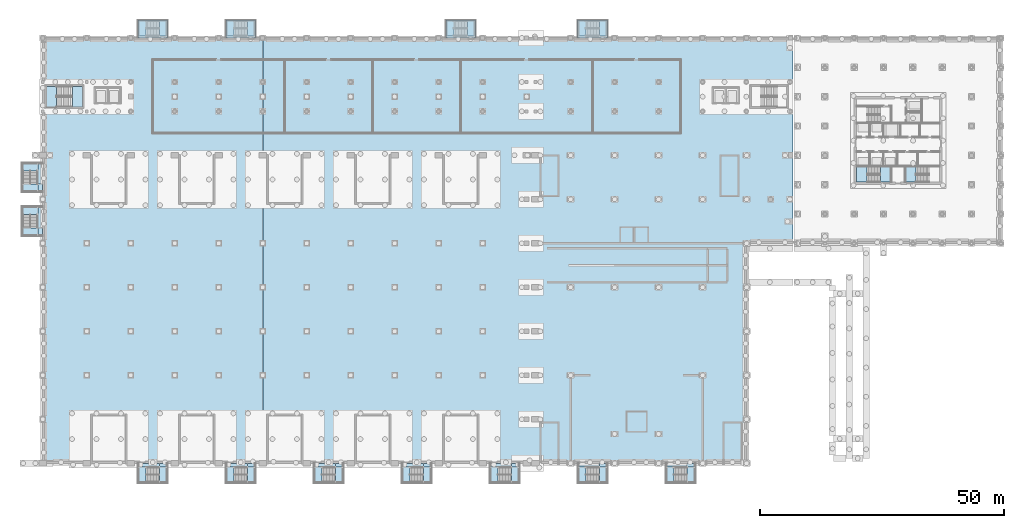
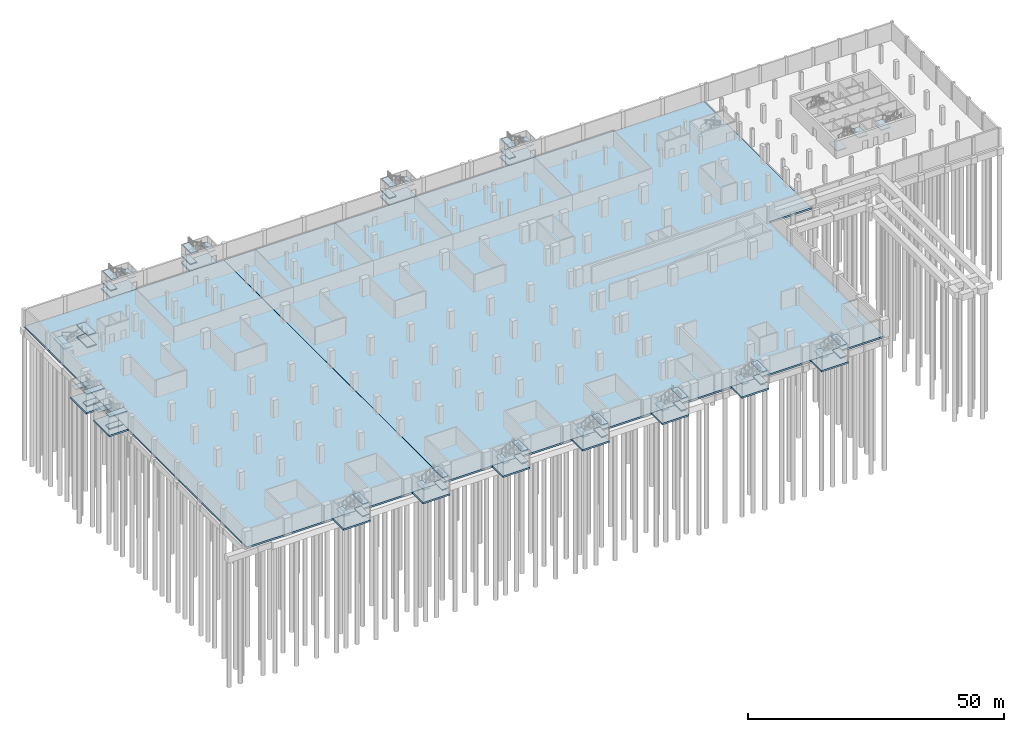
# One storey, part 8 of 29: 60 slabs, 16 elements without a shape of their own.
"""IFC4 building model written with IfcOpenShell, lengths in metres."""

from ifc_helpers import new_model, si_unit, direction, frame, origin, place, context, subcontext, project, spatial, polyline, outline, extrude, material, layer, layer_set, type_object, element, aggregate, save


model = new_model("IFC4")

# Units and contexts
model_context = context("Model", 3, precision=1e-05, world=origin(), true_north=direction((0.0, 1.0)))
body_context = subcontext(model_context, "Body", "Model", "MODEL_VIEW")
ifc_project = project(units=[si_unit("LENGTHUNIT", "METRE"), si_unit("AREAUNIT", "SQUARE_METRE"), si_unit("VOLUMEUNIT", "CUBIC_METRE"), si_unit("PLANEANGLEUNIT", "RADIAN"), si_unit("MASSUNIT", "GRAM", prefix="KILO")], contexts=[model_context])

# Site, building, storey
site_placement = place(None, origin())
site = spatial("IfcSite", under=ifc_project, at=site_placement, CompositionType="ELEMENT")
building_placement = place(site_placement, origin())
building = spatial("IfcBuilding", under=site, at=building_placement, Name="Aravalli Gate Trade Fair Centre", CompositionType="ELEMENT")
storey_placement = place(building_placement, frame((0.0, 0.0, -8.39990234375)))
storey = spatial("IfcBuildingStorey", under=building, at=storey_placement, Name="B2", CompositionType="ELEMENT", Elevation=-8.39990234375)

# Stair, slabs
ifc_material_1 = material(Name="Concrete M40", Category="concrete")
stair_type_1 = type_object("IfcStairType", Name="Basement exit stair 1500", PredefinedType="HALF_TURN_STAIR", material=ifc_material_1)
stair_1_placement = place(storey_placement, origin())
stair_1 = element("IfcStair", 1, at=stair_1_placement, inside=storey, type_object=stair_type_1, Name="Basement exit stair W1 B2 to B1", PredefinedType="HALF_TURN_STAIR")
ifc_material_2 = material(Name="Concrete M35", Category="concrete")
ifc_layer_1 = layer(ifc_material_2, 0.199951171875)
ifc_layer_set_1 = layer_set([ifc_layer_1], Name="Concrete M35")
slab_type_1 = type_object("IfcSlabType", Name="Basement stair landing 200", PredefinedType="LANDING", material=ifc_layer_set_1)
slab_1_placement = place(storey_placement, frame((0.0, 0.0, 1.199951171875)))
slab_1 = element("IfcSlab", 2, at=slab_1_placement, type_object=slab_type_1, Name="BS1 landing 1", PredefinedType="LANDING", context=body_context, shape_type="SweptSolid", body=[
    extrude(outline(polyline([(5.0, 94.14990234375), (5.0, 92.64990234375), (1.89990234375, 92.64990234375), (1.89990234375, 94.14990234375), (5.0, 94.14990234375)])), origin(), (0.0, 0.0, 1.0), 0.199951171875),
])
slab_2_placement = place(storey_placement, frame((0.0, 0.0, 2.599853515625)))
slab_2 = element("IfcSlab", 3, at=slab_2_placement, type_object=slab_type_1, Name="BS1 landing 2", PredefinedType="LANDING", context=body_context, shape_type="SweptSolid", body=[
    extrude(outline(polyline([(5.0, 98.35009765625), (5.0, 96.85009765625), (1.89990234375, 96.85009765625), (1.89990234375, 98.35009765625), (5.0, 98.35009765625)])), origin(), (0.0, 0.0, 1.0), 0.199951171875),
])
slab_3_placement = place(storey_placement, frame((0.0, 0.0, 4.0)))
slab_3 = element("IfcSlab", 4, at=slab_3_placement, type_object=slab_type_1, Name="BS1 landing 3", PredefinedType="LANDING", context=body_context, shape_type="SweptSolid", body=[
    extrude(outline(polyline([(6.0, 94.14990234375), (6.0, 92.64990234375), (1.89990234375, 92.64990234375), (1.89990234375, 94.14990234375), (6.0, 94.14990234375)])), origin(), (0.0, 0.0, 1.0), 0.199951171875),
])
aggregate(stair_1, [slab_1, slab_2, slab_3])

stair_2_placement = place(storey_placement, origin())
stair_2 = element("IfcStair", 5, at=stair_2_placement, inside=storey, type_object=stair_type_1, Name="Basement exit stair W2 B2 to B1", PredefinedType="HALF_TURN_STAIR")
slab_4_placement = place(storey_placement, frame((0.0, 0.0, 1.199951171875)))
slab_4 = element("IfcSlab", 6, at=slab_4_placement, type_object=slab_type_1, Name="BS1 landing 1", PredefinedType="LANDING", context=body_context, shape_type="SweptSolid", body=[
    extrude(outline(polyline([(5.0, 103.10009765625), (5.0, 101.60009765625), (1.89990234375, 101.60009765625), (1.89990234375, 103.10009765625), (5.0, 103.10009765625)])), origin(), (0.0, 0.0, 1.0), 0.199951171875),
])
slab_5_placement = place(storey_placement, frame((0.0, 0.0, 2.599853515625)))
slab_5 = element("IfcSlab", 7, at=slab_5_placement, type_object=slab_type_1, Name="BS1 landing 2", PredefinedType="LANDING", context=body_context, shape_type="SweptSolid", body=[
    extrude(outline(polyline([(5.0, 107.300048828125), (5.0, 105.800048828125), (1.89990234375, 105.800048828125), (1.89990234375, 107.300048828125), (5.0, 107.300048828125)])), origin(), (0.0, 0.0, 1.0), 0.199951171875),
])
slab_6_placement = place(storey_placement, frame((0.0, 0.0, 4.0)))
slab_6 = element("IfcSlab", 8, at=slab_6_placement, type_object=slab_type_1, Name="BS1 landing 3", PredefinedType="LANDING", context=body_context, shape_type="SweptSolid", body=[
    extrude(outline(polyline([(6.0, 103.10009765625), (6.0, 101.60009765625), (1.89990234375, 101.60009765625), (1.89990234375, 103.10009765625), (6.0, 103.10009765625)])), origin(), (0.0, 0.0, 1.0), 0.199951171875),
])
aggregate(stair_2, [slab_4, slab_5, slab_6])

stair_3_placement = place(storey_placement, origin())
stair_3 = element("IfcStair", 9, at=stair_3_placement, inside=storey, type_object=stair_type_1, Name="Basement exit stair N1 B2 to B1", PredefinedType="HALF_TURN_STAIR")
slab_7_placement = place(storey_placement, frame((0.0, 0.0, 1.199951171875)))
slab_7 = element("IfcSlab", 10, at=slab_7_placement, type_object=slab_type_1, Name="BS1 landing 1", PredefinedType="LANDING", context=body_context, shape_type="SweptSolid", body=[
    extrude(outline(polyline([(27.14990234375, 133.3798828125), (25.64990234375, 133.3798828125), (25.64990234375, 136.47998046875), (27.14990234375, 136.47998046875), (27.14990234375, 133.3798828125)])), origin(), (0.0, 0.0, 1.0), 0.199951171875),
])
slab_8_placement = place(storey_placement, frame((0.0, 0.0, 2.599853515625)))
slab_8 = element("IfcSlab", 11, at=slab_8_placement, type_object=slab_type_1, Name="BS1 landing 2", PredefinedType="LANDING", context=body_context, shape_type="SweptSolid", body=[
    extrude(outline(polyline([(31.35009765625, 133.3798828125), (29.85009765625, 133.3798828125), (29.85009765625, 136.47998046875), (31.35009765625, 136.47998046875), (31.35009765625, 133.3798828125)])), origin(), (0.0, 0.0, 1.0), 0.199951171875),
])
slab_9_placement = place(storey_placement, frame((0.0, 0.0, 4.0)))
slab_9 = element("IfcSlab", 12, at=slab_9_placement, type_object=slab_type_1, Name="BS1 landing 3", PredefinedType="LANDING", context=body_context, shape_type="SweptSolid", body=[
    extrude(outline(polyline([(27.14990234375, 133.0), (25.64990234375, 133.0), (25.64990234375, 136.47998046875), (27.14990234375, 136.47998046875), (27.14990234375, 133.0)])), origin(), (0.0, 0.0, 1.0), 0.199951171875),
])
aggregate(stair_3, [slab_7, slab_8, slab_9])

stair_4_placement = place(storey_placement, origin())
stair_4 = element("IfcStair", 13, at=stair_4_placement, inside=storey, type_object=stair_type_1, Name="Basement exit stair N2 B2 to B1", PredefinedType="HALF_TURN_STAIR")
slab_10_placement = place(storey_placement, frame((0.0, 0.0, 1.199951171875)))
slab_10 = element("IfcSlab", 14, at=slab_10_placement, type_object=slab_type_1, Name="BS1 landing 1", PredefinedType="LANDING", context=body_context, shape_type="SweptSolid", body=[
    extrude(outline(polyline([(45.14990234375, 133.3798828125), (43.64990234375, 133.3798828125), (43.64990234375, 136.47998046875), (45.14990234375, 136.47998046875), (45.14990234375, 133.3798828125)])), origin(), (0.0, 0.0, 1.0), 0.199951171875),
])
slab_11_placement = place(storey_placement, frame((0.0, 0.0, 2.599853515625)))
slab_11 = element("IfcSlab", 15, at=slab_11_placement, type_object=slab_type_1, Name="BS1 landing 2", PredefinedType="LANDING", context=body_context, shape_type="SweptSolid", body=[
    extrude(outline(polyline([(49.35009765625, 133.3798828125), (47.85009765625, 133.3798828125), (47.85009765625, 136.47998046875), (49.35009765625, 136.47998046875), (49.35009765625, 133.3798828125)])), origin(), (0.0, 0.0, 1.0), 0.199951171875),
])
slab_12_placement = place(storey_placement, frame((0.0, 0.0, 4.0)))
slab_12 = element("IfcSlab", 16, at=slab_12_placement, type_object=slab_type_1, Name="BS1 landing 3", PredefinedType="LANDING", context=body_context, shape_type="SweptSolid", body=[
    extrude(outline(polyline([(45.14990234375, 133.0), (43.64990234375, 133.0), (43.64990234375, 136.47998046875), (45.14990234375, 136.47998046875), (45.14990234375, 133.0)])), origin(), (0.0, 0.0, 1.0), 0.199951171875),
])
aggregate(stair_4, [slab_10, slab_11, slab_12])

stair_5_placement = place(storey_placement, origin())
stair_5 = element("IfcStair", 17, at=stair_5_placement, inside=storey, type_object=stair_type_1, Name="Basement exit stair N3 B2 to B1", PredefinedType="HALF_TURN_STAIR")
slab_13_placement = place(storey_placement, frame((0.0, 0.0, 1.199951171875)))
slab_13 = element("IfcSlab", 18, at=slab_13_placement, type_object=slab_type_1, Name="BS1 landing 1", PredefinedType="LANDING", context=body_context, shape_type="SweptSolid", body=[
    extrude(outline(polyline([(90.14990234375, 133.3798828125), (88.64990234375, 133.3798828125), (88.64990234375, 136.47998046875), (90.14990234375, 136.47998046875), (90.14990234375, 133.3798828125)])), origin(), (0.0, 0.0, 1.0), 0.199951171875),
])
slab_14_placement = place(storey_placement, frame((0.0, 0.0, 2.599853515625)))
slab_14 = element("IfcSlab", 19, at=slab_14_placement, type_object=slab_type_1, Name="BS1 landing 2", PredefinedType="LANDING", context=body_context, shape_type="SweptSolid", body=[
    extrude(outline(polyline([(94.35009765625, 133.3798828125), (92.85009765625, 133.3798828125), (92.85009765625, 136.47998046875), (94.35009765625, 136.47998046875), (94.35009765625, 133.3798828125)])), origin(), (0.0, 0.0, 1.0), 0.199951171875),
])
slab_15_placement = place(storey_placement, frame((0.0, 0.0, 4.0)))
slab_15 = element("IfcSlab", 20, at=slab_15_placement, type_object=slab_type_1, Name="BS1 landing 3", PredefinedType="LANDING", context=body_context, shape_type="SweptSolid", body=[
    extrude(outline(polyline([(90.14990234375, 133.0), (88.64990234375, 133.0), (88.64990234375, 136.47998046875), (90.14990234375, 136.47998046875), (90.14990234375, 133.0)])), origin(), (0.0, 0.0, 1.0), 0.199951171875),
])
aggregate(stair_5, [slab_13, slab_14, slab_15])

stair_6_placement = place(storey_placement, origin())
stair_6 = element("IfcStair", 21, at=stair_6_placement, inside=storey, type_object=stair_type_1, Name="Basement exit stair N4 B2 to B1", PredefinedType="HALF_TURN_STAIR")
slab_16_placement = place(storey_placement, frame((0.0, 0.0, 1.199951171875)))
slab_16 = element("IfcSlab", 22, at=slab_16_placement, type_object=slab_type_1, Name="BS1 landing 1", PredefinedType="LANDING", context=body_context, shape_type="SweptSolid", body=[
    extrude(outline(polyline([(117.14990234375, 133.3798828125), (115.64990234375, 133.3798828125), (115.64990234375, 136.47998046875), (117.14990234375, 136.47998046875), (117.14990234375, 133.3798828125)])), origin(), (0.0, 0.0, 1.0), 0.199951171875),
])
slab_17_placement = place(storey_placement, frame((0.0, 0.0, 2.599853515625)))
slab_17 = element("IfcSlab", 23, at=slab_17_placement, type_object=slab_type_1, Name="BS1 landing 2", PredefinedType="LANDING", context=body_context, shape_type="SweptSolid", body=[
    extrude(outline(polyline([(121.35009765625, 133.3798828125), (119.85009765625, 133.3798828125), (119.85009765625, 136.47998046875), (121.35009765625, 136.47998046875), (121.35009765625, 133.3798828125)])), origin(), (0.0, 0.0, 1.0), 0.199951171875),
])
slab_18_placement = place(storey_placement, frame((0.0, 0.0, 4.0)))
slab_18 = element("IfcSlab", 24, at=slab_18_placement, type_object=slab_type_1, Name="BS1 landing 3", PredefinedType="LANDING", context=body_context, shape_type="SweptSolid", body=[
    extrude(outline(polyline([(117.14990234375, 133.0), (115.64990234375, 133.0), (115.64990234375, 136.47998046875), (117.14990234375, 136.47998046875), (117.14990234375, 133.0)])), origin(), (0.0, 0.0, 1.0), 0.199951171875),
])
aggregate(stair_6, [slab_16, slab_17, slab_18])

stair_7_placement = place(storey_placement, origin())
stair_7 = element("IfcStair", 25, at=stair_7_placement, inside=storey, type_object=stair_type_1, Name="Basement exit stair S1 B2 to B1", PredefinedType="HALF_TURN_STAIR")
slab_19_placement = place(storey_placement, frame((0.0, 0.0, 1.199951171875)))
slab_19 = element("IfcSlab", 26, at=slab_19_placement, type_object=slab_type_1, Name="BS1 landing 1", PredefinedType="LANDING", context=body_context, shape_type="SweptSolid", body=[
    extrude(outline(polyline([(29.85009765625, 45.199951171875), (31.35009765625, 45.199951171875), (31.35009765625, 42.10009765625), (29.85009765625, 42.10009765625), (29.85009765625, 45.199951171875)])), origin(), (0.0, 0.0, 1.0), 0.199951171875),
])
slab_20_placement = place(storey_placement, frame((0.0, 0.0, 2.599853515625)))
slab_20 = element("IfcSlab", 27, at=slab_20_placement, type_object=slab_type_1, Name="BS1 landing 2", PredefinedType="LANDING", context=body_context, shape_type="SweptSolid", body=[
    extrude(outline(polyline([(25.64990234375, 45.199951171875), (27.14990234375, 45.199951171875), (27.14990234375, 42.10009765625), (25.64990234375, 42.10009765625), (25.64990234375, 45.199951171875)])), origin(), (0.0, 0.0, 1.0), 0.199951171875),
])
slab_21_placement = place(storey_placement, frame((0.0, 0.0, 4.0)))
slab_21 = element("IfcSlab", 28, at=slab_21_placement, type_object=slab_type_1, Name="BS1 landing 3", PredefinedType="LANDING", context=body_context, shape_type="SweptSolid", body=[
    extrude(outline(polyline([(29.85009765625, 46.0), (31.35009765625, 46.0), (31.35009765625, 42.10009765625), (29.85009765625, 42.10009765625), (29.85009765625, 46.0)])), origin(), (0.0, 0.0, 1.0), 0.199951171875),
])
aggregate(stair_7, [slab_19, slab_20, slab_21])

stair_8_placement = place(storey_placement, origin())
stair_8 = element("IfcStair", 29, at=stair_8_placement, inside=storey, type_object=stair_type_1, Name="Basement exit stair S2 B2 to B1", PredefinedType="HALF_TURN_STAIR")
slab_22_placement = place(storey_placement, frame((0.0, 0.0, 1.199951171875)))
slab_22 = element("IfcSlab", 30, at=slab_22_placement, type_object=slab_type_1, Name="BS1 landing 1", PredefinedType="LANDING", context=body_context, shape_type="SweptSolid", body=[
    extrude(outline(polyline([(47.85009765625, 45.199951171875), (49.35009765625, 45.199951171875), (49.35009765625, 42.10009765625), (47.85009765625, 42.10009765625), (47.85009765625, 45.199951171875)])), origin(), (0.0, 0.0, 1.0), 0.199951171875),
])
slab_23_placement = place(storey_placement, frame((0.0, 0.0, 2.599853515625)))
slab_23 = element("IfcSlab", 31, at=slab_23_placement, type_object=slab_type_1, Name="BS1 landing 2", PredefinedType="LANDING", context=body_context, shape_type="SweptSolid", body=[
    extrude(outline(polyline([(43.64990234375, 45.199951171875), (45.14990234375, 45.199951171875), (45.14990234375, 42.10009765625), (43.64990234375, 42.10009765625), (43.64990234375, 45.199951171875)])), origin(), (0.0, 0.0, 1.0), 0.199951171875),
])
slab_24_placement = place(storey_placement, frame((0.0, 0.0, 4.0)))
slab_24 = element("IfcSlab", 32, at=slab_24_placement, type_object=slab_type_1, Name="BS1 landing 3", PredefinedType="LANDING", context=body_context, shape_type="SweptSolid", body=[
    extrude(outline(polyline([(47.85009765625, 46.0), (49.35009765625, 46.0), (49.35009765625, 42.10009765625), (47.85009765625, 42.10009765625), (47.85009765625, 46.0)])), origin(), (0.0, 0.0, 1.0), 0.199951171875),
])
aggregate(stair_8, [slab_22, slab_23, slab_24])

stair_9_placement = place(storey_placement, origin())
stair_9 = element("IfcStair", 33, at=stair_9_placement, inside=storey, type_object=stair_type_1, Name="Basement exit stair S3 B2 to B1", PredefinedType="HALF_TURN_STAIR")
slab_25_placement = place(storey_placement, frame((0.0, 0.0, 1.199951171875)))
slab_25 = element("IfcSlab", 34, at=slab_25_placement, type_object=slab_type_1, Name="BS1 landing 1", PredefinedType="LANDING", context=body_context, shape_type="SweptSolid", body=[
    extrude(outline(polyline([(65.85009765625, 45.199951171875), (67.35009765625, 45.199951171875), (67.35009765625, 42.10009765625), (65.85009765625, 42.10009765625), (65.85009765625, 45.199951171875)])), origin(), (0.0, 0.0, 1.0), 0.199951171875),
])
slab_26_placement = place(storey_placement, frame((0.0, 0.0, 2.599853515625)))
slab_26 = element("IfcSlab", 35, at=slab_26_placement, type_object=slab_type_1, Name="BS1 landing 2", PredefinedType="LANDING", context=body_context, shape_type="SweptSolid", body=[
    extrude(outline(polyline([(61.64990234375, 45.199951171875), (63.14990234375, 45.199951171875), (63.14990234375, 42.10009765625), (61.64990234375, 42.10009765625), (61.64990234375, 45.199951171875)])), origin(), (0.0, 0.0, 1.0), 0.199951171875),
])
slab_27_placement = place(storey_placement, frame((0.0, 0.0, 4.0)))
slab_27 = element("IfcSlab", 36, at=slab_27_placement, type_object=slab_type_1, Name="BS1 landing 3", PredefinedType="LANDING", context=body_context, shape_type="SweptSolid", body=[
    extrude(outline(polyline([(65.85009765625, 46.0), (67.35009765625, 46.0), (67.35009765625, 42.10009765625), (65.85009765625, 42.10009765625), (65.85009765625, 46.0)])), origin(), (0.0, 0.0, 1.0), 0.199951171875),
])
aggregate(stair_9, [slab_25, slab_26, slab_27])

stair_10_placement = place(storey_placement, origin())
stair_10 = element("IfcStair", 37, at=stair_10_placement, inside=storey, type_object=stair_type_1, Name="Basement exit stair S4 B2 to B1", PredefinedType="HALF_TURN_STAIR")
slab_28_placement = place(storey_placement, frame((0.0, 0.0, 1.199951171875)))
slab_28 = element("IfcSlab", 38, at=slab_28_placement, type_object=slab_type_1, Name="BS1 landing 1", PredefinedType="LANDING", context=body_context, shape_type="SweptSolid", body=[
    extrude(outline(polyline([(83.85009765625, 45.199951171875), (85.35009765625, 45.199951171875), (85.35009765625, 42.10009765625), (83.85009765625, 42.10009765625), (83.85009765625, 45.199951171875)])), origin(), (0.0, 0.0, 1.0), 0.199951171875),
])
slab_29_placement = place(storey_placement, frame((0.0, 0.0, 2.599853515625)))
slab_29 = element("IfcSlab", 39, at=slab_29_placement, type_object=slab_type_1, Name="BS1 landing 2", PredefinedType="LANDING", context=body_context, shape_type="SweptSolid", body=[
    extrude(outline(polyline([(79.64990234375, 45.199951171875), (81.14990234375, 45.199951171875), (81.14990234375, 42.10009765625), (79.64990234375, 42.10009765625), (79.64990234375, 45.199951171875)])), origin(), (0.0, 0.0, 1.0), 0.199951171875),
])
slab_30_placement = place(storey_placement, frame((0.0, 0.0, 4.0)))
slab_30 = element("IfcSlab", 40, at=slab_30_placement, type_object=slab_type_1, Name="BS1 landing 3", PredefinedType="LANDING", context=body_context, shape_type="SweptSolid", body=[
    extrude(outline(polyline([(83.85009765625, 46.0), (85.35009765625, 46.0), (85.35009765625, 42.10009765625), (83.85009765625, 42.10009765625), (83.85009765625, 46.0)])), origin(), (0.0, 0.0, 1.0), 0.199951171875),
])
aggregate(stair_10, [slab_28, slab_29, slab_30])

stair_11_placement = place(storey_placement, origin())
stair_11 = element("IfcStair", 41, at=stair_11_placement, inside=storey, type_object=stair_type_1, Name="Basement exit stair S5 B2 to B1", PredefinedType="HALF_TURN_STAIR")
slab_31_placement = place(storey_placement, frame((0.0, 0.0, 1.199951171875)))
slab_31 = element("IfcSlab", 42, at=slab_31_placement, type_object=slab_type_1, Name="BS1 landing 1", PredefinedType="LANDING", context=body_context, shape_type="SweptSolid", body=[
    extrude(outline(polyline([(101.85009765625, 45.199951171875), (103.35009765625, 45.199951171875), (103.35009765625, 42.10009765625), (101.85009765625, 42.10009765625), (101.85009765625, 45.199951171875)])), origin(), (0.0, 0.0, 1.0), 0.199951171875),
])
slab_32_placement = place(storey_placement, frame((0.0, 0.0, 2.599853515625)))
slab_32 = element("IfcSlab", 43, at=slab_32_placement, type_object=slab_type_1, Name="BS1 landing 2", PredefinedType="LANDING", context=body_context, shape_type="SweptSolid", body=[
    extrude(outline(polyline([(97.64990234375, 45.199951171875), (99.14990234375, 45.199951171875), (99.14990234375, 42.10009765625), (97.64990234375, 42.10009765625), (97.64990234375, 45.199951171875)])), origin(), (0.0, 0.0, 1.0), 0.199951171875),
])
slab_33_placement = place(storey_placement, frame((0.0, 0.0, 4.0)))
slab_33 = element("IfcSlab", 44, at=slab_33_placement, type_object=slab_type_1, Name="BS1 landing 3", PredefinedType="LANDING", context=body_context, shape_type="SweptSolid", body=[
    extrude(outline(polyline([(101.85009765625, 46.0), (103.35009765625, 46.0), (103.35009765625, 42.10009765625), (101.85009765625, 42.10009765625), (101.85009765625, 46.0)])), origin(), (0.0, 0.0, 1.0), 0.199951171875),
])
aggregate(stair_11, [slab_31, slab_32, slab_33])

stair_12_placement = place(storey_placement, origin())
stair_12 = element("IfcStair", 45, at=stair_12_placement, inside=storey, type_object=stair_type_1, Name="Basement exit stair S6 B2 to B1", PredefinedType="HALF_TURN_STAIR")
slab_34_placement = place(storey_placement, frame((0.0, 0.0, 1.199951171875)))
slab_34 = element("IfcSlab", 46, at=slab_34_placement, type_object=slab_type_1, Name="BS1 landing 1", PredefinedType="LANDING", context=body_context, shape_type="SweptSolid", body=[
    extrude(outline(polyline([(119.85009765625, 45.199951171875), (121.35009765625, 45.199951171875), (121.35009765625, 42.10009765625), (119.85009765625, 42.10009765625), (119.85009765625, 45.199951171875)])), origin(), (0.0, 0.0, 1.0), 0.199951171875),
])
slab_35_placement = place(storey_placement, frame((0.0, 0.0, 2.599853515625)))
slab_35 = element("IfcSlab", 47, at=slab_35_placement, type_object=slab_type_1, Name="BS1 landing 2", PredefinedType="LANDING", context=body_context, shape_type="SweptSolid", body=[
    extrude(outline(polyline([(115.64990234375, 45.199951171875), (117.14990234375, 45.199951171875), (117.14990234375, 42.10009765625), (115.64990234375, 42.10009765625), (115.64990234375, 45.199951171875)])), origin(), (0.0, 0.0, 1.0), 0.199951171875),
])
slab_36_placement = place(storey_placement, frame((0.0, 0.0, 4.0)))
slab_36 = element("IfcSlab", 48, at=slab_36_placement, type_object=slab_type_1, Name="BS1 landing 3", PredefinedType="LANDING", context=body_context, shape_type="SweptSolid", body=[
    extrude(outline(polyline([(119.85009765625, 46.0), (121.35009765625, 46.0), (121.35009765625, 42.10009765625), (119.85009765625, 42.10009765625), (119.85009765625, 46.0)])), origin(), (0.0, 0.0, 1.0), 0.199951171875),
])
aggregate(stair_12, [slab_34, slab_35, slab_36])

stair_13_placement = place(storey_placement, origin())
stair_13 = element("IfcStair", 49, at=stair_13_placement, inside=storey, type_object=stair_type_1, Name="Basement exit stair S7 B2 to B1", PredefinedType="HALF_TURN_STAIR")
slab_37_placement = place(storey_placement, frame((0.0, 0.0, 1.199951171875)))
slab_37 = element("IfcSlab", 50, at=slab_37_placement, type_object=slab_type_1, Name="BS1 landing 1", PredefinedType="LANDING", context=body_context, shape_type="SweptSolid", body=[
    extrude(outline(polyline([(137.85009765625, 45.199951171875), (139.35009765625, 45.199951171875), (139.35009765625, 42.10009765625), (137.85009765625, 42.10009765625), (137.85009765625, 45.199951171875)])), origin(), (0.0, 0.0, 1.0), 0.199951171875),
])
slab_38_placement = place(storey_placement, frame((0.0, 0.0, 2.599853515625)))
slab_38 = element("IfcSlab", 51, at=slab_38_placement, type_object=slab_type_1, Name="BS1 landing 2", PredefinedType="LANDING", context=body_context, shape_type="SweptSolid", body=[
    extrude(outline(polyline([(133.64990234375, 45.199951171875), (135.14990234375, 45.199951171875), (135.14990234375, 42.10009765625), (133.64990234375, 42.10009765625), (133.64990234375, 45.199951171875)])), origin(), (0.0, 0.0, 1.0), 0.199951171875),
])
slab_39_placement = place(storey_placement, frame((0.0, 0.0, 4.0)))
slab_39 = element("IfcSlab", 52, at=slab_39_placement, type_object=slab_type_1, Name="BS1 landing 3", PredefinedType="LANDING", context=body_context, shape_type="SweptSolid", body=[
    extrude(outline(polyline([(137.85009765625, 46.0), (139.35009765625, 46.0), (139.35009765625, 42.10009765625), (137.85009765625, 42.10009765625), (137.85009765625, 46.0)])), origin(), (0.0, 0.0, 1.0), 0.199951171875),
])
aggregate(stair_13, [slab_37, slab_38, slab_39])

# Slabs
ifc_layer_2 = layer(ifc_material_1, 0.39990234375)
ifc_layer_set_2 = layer_set([ifc_layer_2], Name="Concrete M40")
slab_type_2 = type_object("IfcSlabType", Name="Basement tie slab 400", PredefinedType="BASESLAB", material=ifc_layer_set_2)
slab_40_placement = place(storey_placement, frame((0.0, 0.0, -0.400146484375)))
element("IfcSlab", 53, at=slab_40_placement, inside=storey, type_object=slab_type_2, Name="Basement tie slab B2 west of the seismic joint, part 1 of 2", PredefinedType="BASESLAB", context=body_context, shape_type="SweptSolid", body=[
    extrude(outline(polyline([(6.0, 46.0), (51.0, 46.0), (51.0, 133.0), (6.0, 133.0), (6.0, 46.0)])), origin(), (0.0, 0.0, 1.0), 0.400146484375),
])
slab_41_placement = place(storey_placement, frame((0.0, 0.0, -0.400146484375)))
element("IfcSlab", 54, at=slab_41_placement, inside=storey, type_object=slab_type_2, Name="Basement tie slab B2 west of the seismic joint, part 2 of 2", PredefinedType="BASESLAB", context=body_context, shape_type="SweptSolid", body=[
    extrude(outline(polyline([(150.0, 46.0), (150.0, 91.0), (159.5, 91.0), (159.5, 133.0), (51.0400390625, 133.0), (51.0400390625, 46.0), (150.0, 46.0)])), origin(), (0.0, 0.0, 1.0), 0.400146484375),
])
slab_42_placement = place(storey_placement, frame((0.0, 0.0, -0.400146484375)))
element("IfcSlab", 55, at=slab_42_placement, inside=storey, type_object=slab_type_2, Name="Basement stair W1 floor B2", PredefinedType="BASESLAB", context=body_context, shape_type="SweptSolid", body=[
    extrude(outline(polyline([(6.0, 98.550048828125), (6.0, 92.449951171875), (1.699951171875, 92.449951171875), (1.699951171875, 98.550048828125), (6.0, 98.550048828125)])), origin(), (0.0, 0.0, 1.0), 0.400146484375),
])
slab_43_placement = place(storey_placement, frame((0.0, 0.0, -0.400146484375)))
element("IfcSlab", 56, at=slab_43_placement, inside=storey, type_object=slab_type_2, Name="Basement stair W2 floor B2", PredefinedType="BASESLAB", context=body_context, shape_type="SweptSolid", body=[
    extrude(outline(polyline([(6.0, 107.5), (6.0, 101.39990234375), (1.699951171875, 101.39990234375), (1.699951171875, 107.5), (6.0, 107.5)])), origin(), (0.0, 0.0, 1.0), 0.400146484375),
])
slab_44_placement = place(storey_placement, frame((0.0, 0.0, -0.400146484375)))
element("IfcSlab", 57, at=slab_44_placement, inside=storey, type_object=slab_type_2, Name="Basement stair N1 floor B2", PredefinedType="BASESLAB", context=body_context, shape_type="SweptSolid", body=[
    extrude(outline(polyline([(31.550048828125, 133.0), (25.449951171875, 133.0), (25.449951171875, 136.679931640625), (31.550048828125, 136.679931640625), (31.550048828125, 133.0)])), origin(), (0.0, 0.0, 1.0), 0.400146484375),
])
slab_45_placement = place(storey_placement, frame((0.0, 0.0, -0.400146484375)))
element("IfcSlab", 58, at=slab_45_placement, inside=storey, type_object=slab_type_2, Name="Basement stair N2 floor B2", PredefinedType="BASESLAB", context=body_context, shape_type="SweptSolid", body=[
    extrude(outline(polyline([(49.550048828125, 133.0), (43.449951171875, 133.0), (43.449951171875, 136.679931640625), (49.550048828125, 136.679931640625), (49.550048828125, 133.0)])), origin(), (0.0, 0.0, 1.0), 0.400146484375),
])
slab_46_placement = place(storey_placement, frame((0.0, 0.0, -0.400146484375)))
element("IfcSlab", 59, at=slab_46_placement, inside=storey, type_object=slab_type_2, Name="Basement stair N3 floor B2", PredefinedType="BASESLAB", context=body_context, shape_type="SweptSolid", body=[
    extrude(outline(polyline([(94.550048828125, 133.0), (88.449951171875, 133.0), (88.449951171875, 136.679931640625), (94.550048828125, 136.679931640625), (94.550048828125, 133.0)])), origin(), (0.0, 0.0, 1.0), 0.400146484375),
])
slab_47_placement = place(storey_placement, frame((0.0, 0.0, -0.400146484375)))
element("IfcSlab", 60, at=slab_47_placement, inside=storey, type_object=slab_type_2, Name="Basement stair N4 floor B2", PredefinedType="BASESLAB", context=body_context, shape_type="SweptSolid", body=[
    extrude(outline(polyline([(121.550048828125, 133.0), (115.449951171875, 133.0), (115.449951171875, 136.679931640625), (121.550048828125, 136.679931640625), (121.550048828125, 133.0)])), origin(), (0.0, 0.0, 1.0), 0.400146484375),
])
slab_48_placement = place(storey_placement, frame((0.0, 0.0, -0.400146484375)))
element("IfcSlab", 61, at=slab_48_placement, inside=storey, type_object=slab_type_2, Name="Basement stair S1 floor B2", PredefinedType="BASESLAB", context=body_context, shape_type="SweptSolid", body=[
    extrude(outline(polyline([(25.449951171875, 46.0), (31.550048828125, 46.0), (31.550048828125, 41.89990234375), (25.449951171875, 41.89990234375), (25.449951171875, 46.0)])), origin(), (0.0, 0.0, 1.0), 0.400146484375),
])
slab_49_placement = place(storey_placement, frame((0.0, 0.0, -0.400146484375)))
element("IfcSlab", 62, at=slab_49_placement, inside=storey, type_object=slab_type_2, Name="Basement stair S2 floor B2", PredefinedType="BASESLAB", context=body_context, shape_type="SweptSolid", body=[
    extrude(outline(polyline([(43.449951171875, 46.0), (49.550048828125, 46.0), (49.550048828125, 41.89990234375), (43.449951171875, 41.89990234375), (43.449951171875, 46.0)])), origin(), (0.0, 0.0, 1.0), 0.400146484375),
])
slab_50_placement = place(storey_placement, frame((0.0, 0.0, -0.400146484375)))
element("IfcSlab", 63, at=slab_50_placement, inside=storey, type_object=slab_type_2, Name="Basement stair S3 floor B2", PredefinedType="BASESLAB", context=body_context, shape_type="SweptSolid", body=[
    extrude(outline(polyline([(61.449951171875, 46.0), (67.550048828125, 46.0), (67.550048828125, 41.89990234375), (61.449951171875, 41.89990234375), (61.449951171875, 46.0)])), origin(), (0.0, 0.0, 1.0), 0.400146484375),
])
slab_51_placement = place(storey_placement, frame((0.0, 0.0, -0.400146484375)))
element("IfcSlab", 64, at=slab_51_placement, inside=storey, type_object=slab_type_2, Name="Basement stair S4 floor B2", PredefinedType="BASESLAB", context=body_context, shape_type="SweptSolid", body=[
    extrude(outline(polyline([(79.449951171875, 46.0), (85.550048828125, 46.0), (85.550048828125, 41.89990234375), (79.449951171875, 41.89990234375), (79.449951171875, 46.0)])), origin(), (0.0, 0.0, 1.0), 0.400146484375),
])
slab_52_placement = place(storey_placement, frame((0.0, 0.0, -0.400146484375)))
element("IfcSlab", 65, at=slab_52_placement, inside=storey, type_object=slab_type_2, Name="Basement stair S5 floor B2", PredefinedType="BASESLAB", context=body_context, shape_type="SweptSolid", body=[
    extrude(outline(polyline([(97.449951171875, 46.0), (103.550048828125, 46.0), (103.550048828125, 41.89990234375), (97.449951171875, 41.89990234375), (97.449951171875, 46.0)])), origin(), (0.0, 0.0, 1.0), 0.400146484375),
])
slab_53_placement = place(storey_placement, frame((0.0, 0.0, -0.400146484375)))
element("IfcSlab", 66, at=slab_53_placement, inside=storey, type_object=slab_type_2, Name="Basement stair S6 floor B2", PredefinedType="BASESLAB", context=body_context, shape_type="SweptSolid", body=[
    extrude(outline(polyline([(115.449951171875, 46.0), (121.550048828125, 46.0), (121.550048828125, 41.89990234375), (115.449951171875, 41.89990234375), (115.449951171875, 46.0)])), origin(), (0.0, 0.0, 1.0), 0.400146484375),
])
slab_54_placement = place(storey_placement, frame((0.0, 0.0, -0.400146484375)))
element("IfcSlab", 67, at=slab_54_placement, inside=storey, type_object=slab_type_2, Name="Basement stair S7 floor B2", PredefinedType="BASESLAB", context=body_context, shape_type="SweptSolid", body=[
    extrude(outline(polyline([(133.449951171875, 46.0), (139.550048828125, 46.0), (139.550048828125, 41.89990234375), (133.449951171875, 41.89990234375), (133.449951171875, 46.0)])), origin(), (0.0, 0.0, 1.0), 0.400146484375),
])

# Stair, slabs
ifc_material_3 = material(Name="Concrete M30", Category="concrete")
stair_type_2 = type_object("IfcStairType", Name="Concourse stair, 2000 wide", PredefinedType="HALF_TURN_STAIR", material=ifc_material_3)
stair_14_placement = place(storey_placement, origin())
stair_14 = element("IfcStair", 68, at=stair_14_placement, inside=storey, type_object=stair_type_2, Name="Stair WS B2", PredefinedType="HALF_TURN_STAIR")
ifc_layer_3 = layer(ifc_material_3, 0.199951171875)
ifc_layer_set_3 = layer_set([ifc_layer_3], Name="Concrete M30")
slab_type_3 = type_object("IfcSlabType", Name="Concourse stair landing 200", PredefinedType="LANDING", material=ifc_layer_set_3)
slab_55_placement = place(storey_placement, frame((0.0, 0.0, 1.199951171875)))
slab_55 = element("IfcSlab", 69, at=slab_55_placement, type_object=slab_type_3, Name="STWS-B2 landing 1", PredefinedType="LANDING", context=body_context, shape_type="SweptSolid", body=[
    extrude(outline(polyline([(12.0400390625, 118.89990234375), (14.10009765625, 118.89990234375), (14.10009765625, 123.10009765625), (12.0400390625, 123.10009765625), (12.0400390625, 118.89990234375)])), origin(), (0.0, 0.0, 1.0), 0.199951171875),
])
slab_56_placement = place(storey_placement, frame((0.0, 0.0, 2.599853515625)))
slab_56 = element("IfcSlab", 70, at=slab_56_placement, type_object=slab_type_3, Name="STWS-B2 landing 2", PredefinedType="LANDING", context=body_context, shape_type="SweptSolid", body=[
    extrude(outline(polyline([(6.800048828125, 118.89990234375), (8.800048828125, 118.89990234375), (8.800048828125, 123.10009765625), (6.800048828125, 123.10009765625), (6.800048828125, 118.89990234375)])), origin(), (0.0, 0.0, 1.0), 0.199951171875),
])
slab_57_placement = place(storey_placement, frame((0.0, 0.0, 4.0)))
slab_57 = element("IfcSlab", 71, at=slab_57_placement, type_object=slab_type_3, Name="STWS-B2 landing 3", PredefinedType="LANDING", context=body_context, shape_type="SweptSolid", body=[
    extrude(outline(polyline([(12.0400390625, 118.89990234375), (14.10009765625, 118.89990234375), (14.10009765625, 123.10009765625), (12.0400390625, 123.10009765625), (12.0400390625, 118.89990234375)])), origin(), (0.0, 0.0, 1.0), 0.199951171875),
])
aggregate(stair_14, [slab_55, slab_56, slab_57])

stair_type_3 = type_object("IfcStairType", Name="Wing core stair", PredefinedType="HALF_TURN_STAIR", material=ifc_material_3)
stair_15_placement = place(storey_placement, origin())
stair_15 = element("IfcStair", 72, at=stair_15_placement, inside=storey, type_object=stair_type_3, Name="Stair S2 B2", PredefinedType="HALF_TURN_STAIR")
ifc_layer_4 = layer(ifc_material_3, 0.199951171875)
ifc_layer_set_4 = layer_set([ifc_layer_4], Name="Concrete M30")
slab_type_4 = type_object("IfcSlabType", Name="Wing core stair landing 200", PredefinedType="LANDING", material=ifc_layer_set_4)
slab_58_placement = place(storey_placement, frame((0.0, 0.0, 1.248291015625)))
slab_58 = element("IfcSlab", 73, at=slab_58_placement, type_object=slab_type_4, Name="TST1 landing 1", PredefinedType="LANDING", context=body_context, shape_type="SweptSolid", body=[
    extrude(outline(polyline([(172.5, 103.5), (174.64990234375, 103.5), (174.64990234375, 106.699951171875), (172.5, 106.699951171875), (172.5, 103.5)])), origin(), (0.0, 0.0, 1.0), 0.199951171875),
])
slab_59_placement = place(storey_placement, frame((0.0, 0.0, 2.696533203125)))
slab_59 = element("IfcSlab", 74, at=slab_59_placement, type_object=slab_type_4, Name="TST1 landing 2", PredefinedType="LANDING", context=body_context, shape_type="SweptSolid", body=[
    extrude(outline(polyline([(177.35009765625, 103.5), (179.5, 103.5), (179.5, 106.699951171875), (177.35009765625, 106.699951171875), (177.35009765625, 103.5)])), origin(), (0.0, 0.0, 1.0), 0.199951171875),
])
aggregate(stair_15, [slab_58, slab_59])

# Stair, slab
stair_16_placement = place(storey_placement, origin())
stair_16 = element("IfcStair", 75, at=stair_16_placement, inside=storey, type_object=stair_type_3, Name="Stair S1 B2", PredefinedType="HALF_TURN_STAIR")
slab_60_placement = place(storey_placement, frame((0.0, 0.0, 2.696533203125)))
slab_60 = element("IfcSlab", 76, at=slab_60_placement, type_object=slab_type_4, Name="TST1 landing 2", PredefinedType="LANDING", context=body_context, shape_type="SweptSolid", body=[
    extrude(outline(polyline([(182.5, 103.5), (184.64990234375, 103.5), (184.64990234375, 106.699951171875), (182.5, 106.699951171875), (182.5, 103.5)])), origin(), (0.0, 0.0, 1.0), 0.199951171875),
])
aggregate(stair_16, [slab_60])

save(model, "model.ifc")
